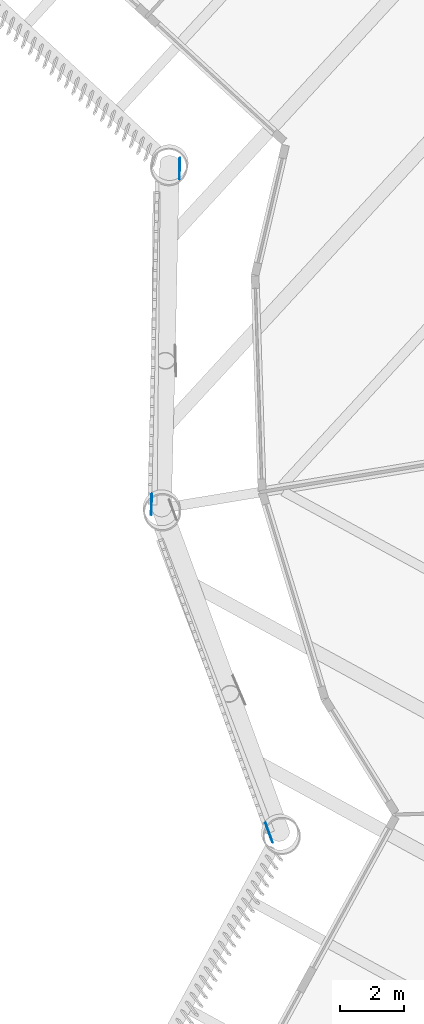
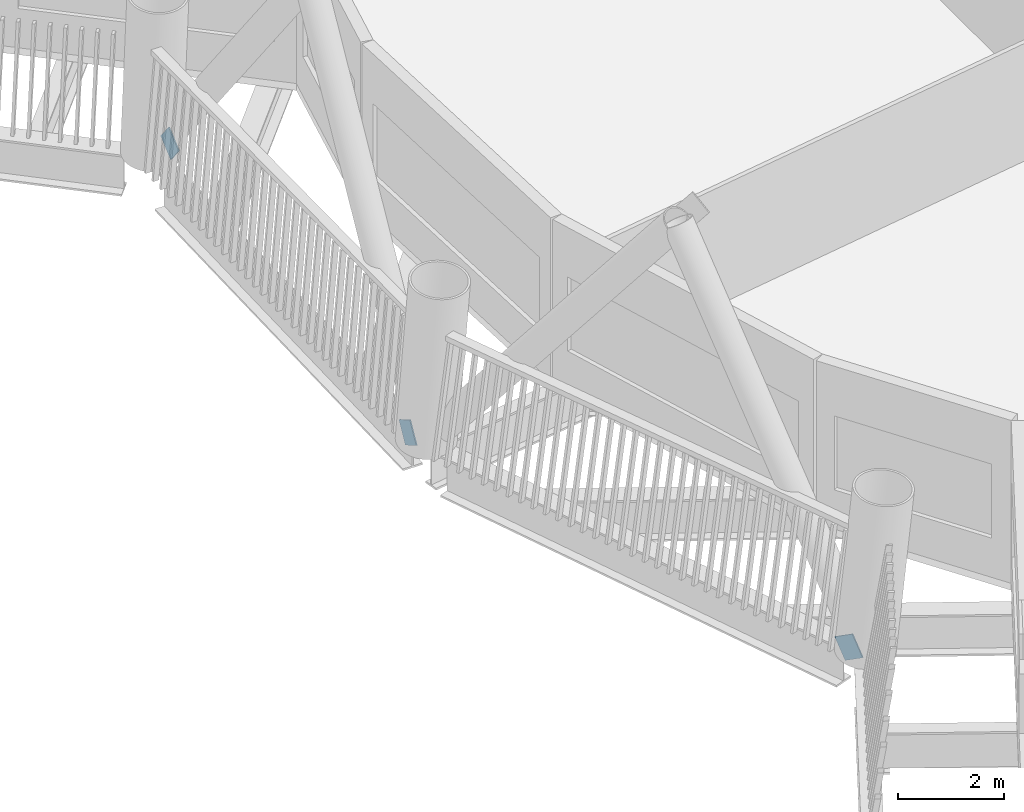
# One storey, part 14 of 24: 3 discrete accessories.
"""IFC4 building model written with IfcOpenShell, lengths in metres."""

from ifc_helpers import new_model, si_unit, direction, frame, origin, origin_2d, place, context, subcontext, project, spatial, rectangle, extrude, material, material_profile, profile_set, type_object, element, save


model = new_model("IFC4")

# Units and contexts
model_context = context("Model", 3, precision=1e-05, world=origin(), true_north=direction((0.0, 1.0)))
body_context = subcontext(model_context, "Body", "Model", "MODEL_VIEW")
ifc_project = project(units=[si_unit("LENGTHUNIT", "METRE"), si_unit("AREAUNIT", "SQUARE_METRE"), si_unit("VOLUMEUNIT", "CUBIC_METRE"), si_unit("PLANEANGLEUNIT", "RADIAN"), si_unit("MASSUNIT", "GRAM", prefix="KILO")], contexts=[model_context])

# Site, building, storey
site_placement = place(None, origin())
site = spatial("IfcSite", under=ifc_project, at=site_placement, CompositionType="ELEMENT")
building_placement = place(site_placement, origin())
building = spatial("IfcBuilding", under=site, at=building_placement, Name="Tarsis Ring Headquarters", CompositionType="ELEMENT")
storey_placement = place(building_placement, frame((0.0, 0.0, 92.800048828125)))
storey = spatial("IfcBuildingStorey", under=building, at=storey_placement, Name="L20", CompositionType="ELEMENT", Elevation=92.800048828125)

# Discrete accessories
ifc_material = material(Name="Structural steel S355", Category="steel")
ifc_material_profile = material_profile(ifc_material, rectangle(XDim=0.02490234375, YDim=0.5, at=origin_2d()), Name="PL 25x500")
ifc_profile_set = profile_set([ifc_material_profile], Name="Structural steel S355")
discrete_accessory_type = type_object("IfcDiscreteAccessoryType", Name="Gusset plate Exo brace 25", PredefinedType="BRACKET", material=ifc_profile_set)
for number, where, z_axis, x_axis, name in (
    (1, (-25.26806640625, -14.95166015625, 0.0), (-0.173333851582, 0.478499083241, 0.860810085462), (-0.940212888731, -0.340587321938, 0.0), "Gusset plate GP5"),
    (2, (-28.095458984375, 6.03759765625, 0.0), (-0.013184796194, -0.619685421105, 0.784739536419), (0.999773730057, -0.021271781491, 0.0), "Gusset plate GP5"),
    (3, (-28.97900390625, -4.71630859375, 0.0), (0.013183031151, 0.508767350337, 0.860803108104), (-0.999664460643, 0.025903013855, 0.0), "Gusset plate GP5"),
):
    element("IfcDiscreteAccessory", number, at=place(storey_placement, frame(where, z_axis=z_axis, x_axis=x_axis)), inside=storey, type_object=discrete_accessory_type, Name=name, PredefinedType="BRACKET", context=body_context, shape_type="SweptSolid", body=[
        extrude(rectangle(XDim=0.02490234375, YDim=0.5, at=origin_2d()), origin(), (0.0, 0.0, 1.0), 0.5),
    ])

save(model, "model.ifc")
